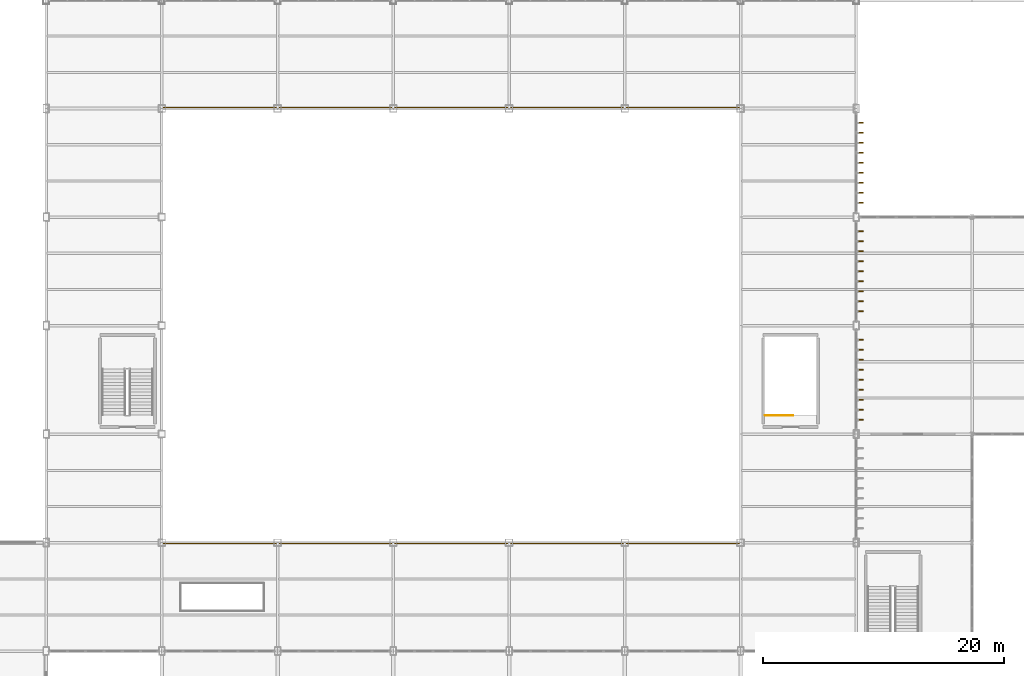
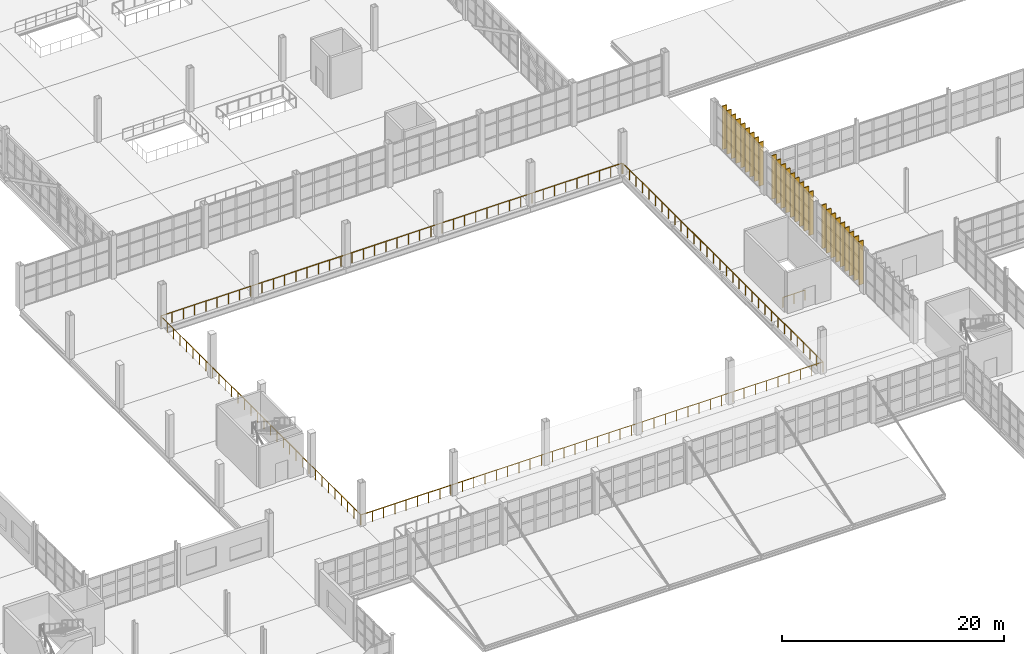
# One storey, part 118 of 120: 27 coverings, 3 railings.
"""IFC4 building model written with IfcOpenShell, lengths in metres."""

from ifc_helpers import new_model, si_unit, direction, frame, origin, origin_2d, place, context, subcontext, project, spatial, rectangle, circle, extrude, material, type_object, element, save


model = new_model("IFC4")

# Units and contexts
model_context = context("Model", 3, precision=1e-05, world=origin(), true_north=direction((0.0, 1.0)))
body_context = subcontext(model_context, "Body", "Model", "MODEL_VIEW")
ifc_project = project(units=[si_unit("LENGTHUNIT", "METRE"), si_unit("AREAUNIT", "SQUARE_METRE"), si_unit("VOLUMEUNIT", "CUBIC_METRE"), si_unit("PLANEANGLEUNIT", "RADIAN"), si_unit("MASSUNIT", "GRAM", prefix="KILO")], contexts=[model_context])

# Site, building, storey
site_placement = place(None, origin())
site = spatial("IfcSite", under=ifc_project, at=site_placement, CompositionType="ELEMENT")
building_placement = place(site_placement, origin())
building = spatial("IfcBuilding", under=site, at=building_placement, Name="Zarnetskaya Central Station", CompositionType="ELEMENT")
storey_placement = place(building_placement, frame((0.0, 0.0, 5.39990234375)))
storey = spatial("IfcBuildingStorey", under=building, at=storey_placement, Name="L01", CompositionType="ELEMENT", Elevation=5.39990234375)

# Coverings
ifc_material_1 = material(Name="Larch glulam GL28h", Category="wood")
covering_type = type_object("IfcCoveringType", Name="COV-LARCH-BLADE", PredefinedType="CLADDING", material=ifc_material_1)
for number, where, z_axis, x_axis, name in (
    (1, (125.14990234375, 39.02001953125, 0.0), (0.0, 0.0, 1.0), (0.0, -1.0, 0.0), "Vertical GL28h larch gable screen blade CW-L01-092-01"),
    (2, (125.14990234375, 38.18994140625, 0.0), (0.0, 0.0, 1.0), (0.0, -1.0, 0.0), "Vertical GL28h larch gable screen blade CW-L01-092-02"),
    (3, (125.14990234375, 37.360107421875, 0.0), (0.0, 0.0, 1.0), (0.0, -1.0, 0.0), "Vertical GL28h larch gable screen blade CW-L01-092-03"),
    (4, (125.14990234375, 36.530029296875, 0.0), (0.0, 0.0, 1.0), (0.0, -1.0, 0.0), "Vertical GL28h larch gable screen blade CW-L01-092-04"),
    (5, (125.14990234375, 35.699951171875, 0.0), (0.0, 0.0, 1.0), (0.0, -1.0, 0.0), "Vertical GL28h larch gable screen blade CW-L01-092-05"),
    (6, (125.14990234375, 34.8701171875, 0.0), (0.0, 0.0, 1.0), (0.0, -1.0, 0.0), "Vertical GL28h larch gable screen blade CW-L01-092-06"),
    (7, (125.14990234375, 34.0400390625, 0.0), (0.0, 0.0, 1.0), (0.0, -1.0, 0.0), "Vertical GL28h larch gable screen blade CW-L01-092-07"),
    (8, (125.14990234375, 33.2099609375, 0.0), (0.0, 0.0, 1.0), (0.0, -1.0, 0.0), "Vertical GL28h larch gable screen blade CW-L01-092-08"),
    (9, (125.14990234375, 32.3798828125, 0.0), (0.0, 0.0, 1.0), (0.0, -1.0, 0.0), "Vertical GL28h larch gable screen blade CW-L01-092-09"),
    (10, (125.1298828125, 48.02001953125, 0.0), (0.0, 0.0, 1.0), (0.0, -1.0, 0.0), "Vertical GL28h larch gable screen blade CW-L01-095-01"),
    (11, (125.1298828125, 47.18994140625, 0.0), (0.0, 0.0, 1.0), (0.0, -1.0, 0.0), "Vertical GL28h larch gable screen blade CW-L01-095-02"),
    (12, (125.1298828125, 46.360107421875, 0.0), (0.0, 0.0, 1.0), (0.0, -1.0, 0.0), "Vertical GL28h larch gable screen blade CW-L01-095-03"),
    (13, (125.1298828125, 45.530029296875, 0.0), (0.0, 0.0, 1.0), (0.0, -1.0, 0.0), "Vertical GL28h larch gable screen blade CW-L01-095-04"),
    (14, (125.1298828125, 44.699951171875, 0.0), (0.0, 0.0, 1.0), (0.0, -1.0, 0.0), "Vertical GL28h larch gable screen blade CW-L01-095-05"),
    (15, (125.1298828125, 43.8701171875, 0.0), (0.0, 0.0, 1.0), (0.0, -1.0, 0.0), "Vertical GL28h larch gable screen blade CW-L01-095-06"),
    (16, (125.1298828125, 43.0400390625, 0.0), (0.0, 0.0, 1.0), (0.0, -1.0, 0.0), "Vertical GL28h larch gable screen blade CW-L01-095-07"),
    (17, (125.1298828125, 42.2099609375, 0.0), (0.0, 0.0, 1.0), (0.0, -1.0, 0.0), "Vertical GL28h larch gable screen blade CW-L01-095-08"),
    (18, (125.1298828125, 41.3798828125, 0.0), (0.0, 0.0, 1.0), (0.0, -1.0, 0.0), "Vertical GL28h larch gable screen blade CW-L01-095-09"),
    (19, (125.14990234375, 57.02001953125, 0.0), (0.0, 0.0, 1.0), (0.0, -1.0, 0.0), "Vertical GL28h larch gable screen blade CW-L01-098-01"),
    (20, (125.14990234375, 56.18994140625, 0.0), (0.0, 0.0, 1.0), (0.0, -1.0, 0.0), "Vertical GL28h larch gable screen blade CW-L01-098-02"),
    (21, (125.14990234375, 55.360107421875, 0.0), (0.0, 0.0, 1.0), (0.0, -1.0, 0.0), "Vertical GL28h larch gable screen blade CW-L01-098-03"),
    (22, (125.14990234375, 54.530029296875, 0.0), (0.0, 0.0, 1.0), (0.0, -1.0, 0.0), "Vertical GL28h larch gable screen blade CW-L01-098-04"),
    (23, (125.14990234375, 53.699951171875, 0.0), (0.0, 0.0, 1.0), (0.0, -1.0, 0.0), "Vertical GL28h larch gable screen blade CW-L01-098-05"),
    (24, (125.14990234375, 52.8701171875, 0.0), (0.0, 0.0, 1.0), (0.0, -1.0, 0.0), "Vertical GL28h larch gable screen blade CW-L01-098-06"),
    (25, (125.14990234375, 52.0400390625, 0.0), (0.0, 0.0, 1.0), (0.0, -1.0, 0.0), "Vertical GL28h larch gable screen blade CW-L01-098-07"),
    (26, (125.14990234375, 51.2099609375, 0.0), (0.0, 0.0, 1.0), (0.0, -1.0, 0.0), "Vertical GL28h larch gable screen blade CW-L01-098-08"),
    (27, (125.14990234375, 50.3798828125, 0.0), (0.0, 0.0, 1.0), (0.0, -1.0, 0.0), "Vertical GL28h larch gable screen blade CW-L01-098-09"),
):
    element("IfcCovering", number, at=place(storey_placement, frame(where, z_axis=z_axis, x_axis=x_axis)), inside=storey, type_object=covering_type, Name=name, PredefinedType="CLADDING", context=body_context, shape_type="SweptSolid", body=[
        extrude(rectangle(XDim=0.090087890625, YDim=0.47998046875, at=origin_2d()), origin(), (0.0, 0.0, 1.0), 4.800048828125),
    ])

# Railings
ifc_material_2 = material(Name="Anodised aluminium", Category="aluminium")
railing_type_1 = type_object("IfcRailingType", Name="RAIL-BAL-1150", PredefinedType="BALUSTRADE", material=ifc_material_2)
railing_1_placement = place(storey_placement, frame((67.1201171875, 22.1201171875, 0.0)))
element("IfcRailing", 28, at=railing_1_placement, inside=storey, type_object=railing_type_1, Name="Protective deck balustrade GRD-05", PredefinedType="BALUSTRADE", context=body_context, shape_type="SweptSolid", body=[
    extrude(circle(Radius=0.02392578125, at=origin_2d()), frame((0.0, 0.0, 1.1259765625), z_axis=(1.0, 0.0, 0.0), x_axis=(0.0, 1.0, 0.0)), (0.0, 0.0, 1.0), 48.159912109375),
    extrude(circle(Radius=0.02392578125, at=origin_2d()), frame((48.159912109375, 0.0, 1.1259765625), z_axis=(0.0, 1.0, 0.0), x_axis=(-1.0, 0.0, 0.0)), (0.0, 0.0, 1.0), 36.079833984375),
    extrude(circle(Radius=0.02099609375, at=origin_2d()), origin(), (0.0, 0.0, 1.0), 1.101806640625),
    extrude(circle(Radius=0.02099609375, at=origin_2d()), frame((1.174560546875, 0.0, 0.0)), (0.0, 0.0, 1.0), 1.101806640625),
    extrude(circle(Radius=0.02099609375, at=origin_2d()), frame((2.349365234375, 0.0, 0.0)), (0.0, 0.0, 1.0), 1.101806640625),
    extrude(circle(Radius=0.02099609375, at=origin_2d()), frame((3.52392578125, 0.0, 0.0)), (0.0, 0.0, 1.0), 1.101806640625),
    extrude(circle(Radius=0.02099609375, at=origin_2d()), frame((4.698486328125, 0.0, 0.0)), (0.0, 0.0, 1.0), 1.101806640625),
    extrude(circle(Radius=0.02099609375, at=origin_2d()), frame((5.873046875, 0.0, 0.0)), (0.0, 0.0, 1.0), 1.101806640625),
    extrude(circle(Radius=0.02099609375, at=origin_2d()), frame((7.0478515625, 0.0, 0.0)), (0.0, 0.0, 1.0), 1.101806640625),
    extrude(circle(Radius=0.02099609375, at=origin_2d()), frame((8.222412109375, 0.0, 0.0)), (0.0, 0.0, 1.0), 1.101806640625),
    extrude(circle(Radius=0.02099609375, at=origin_2d()), frame((9.39697265625, 0.0, 0.0)), (0.0, 0.0, 1.0), 1.101806640625),
    extrude(circle(Radius=0.02099609375, at=origin_2d()), frame((10.57177734375, 0.0, 0.0)), (0.0, 0.0, 1.0), 1.101806640625),
    extrude(circle(Radius=0.02099609375, at=origin_2d()), frame((11.746337890625, 0.0, 0.0)), (0.0, 0.0, 1.0), 1.101806640625),
    extrude(circle(Radius=0.02099609375, at=origin_2d()), frame((12.9208984375, 0.0, 0.0)), (0.0, 0.0, 1.0), 1.101806640625),
    extrude(circle(Radius=0.02099609375, at=origin_2d()), frame((14.095703125, 0.0, 0.0)), (0.0, 0.0, 1.0), 1.101806640625),
    extrude(circle(Radius=0.02099609375, at=origin_2d()), frame((15.270263671875, 0.0, 0.0)), (0.0, 0.0, 1.0), 1.101806640625),
    extrude(circle(Radius=0.02099609375, at=origin_2d()), frame((16.44482421875, 0.0, 0.0)), (0.0, 0.0, 1.0), 1.101806640625),
    extrude(circle(Radius=0.02099609375, at=origin_2d()), frame((17.619384765625, 0.0, 0.0)), (0.0, 0.0, 1.0), 1.101806640625),
    extrude(circle(Radius=0.02099609375, at=origin_2d()), frame((18.794189453125, 0.0, 0.0)), (0.0, 0.0, 1.0), 1.101806640625),
    extrude(circle(Radius=0.02099609375, at=origin_2d()), frame((19.96875, 0.0, 0.0)), (0.0, 0.0, 1.0), 1.101806640625),
    extrude(circle(Radius=0.02099609375, at=origin_2d()), frame((21.143310546875, 0.0, 0.0)), (0.0, 0.0, 1.0), 1.101806640625),
    extrude(circle(Radius=0.02099609375, at=origin_2d()), frame((22.318115234375, 0.0, 0.0)), (0.0, 0.0, 1.0), 1.101806640625),
    extrude(circle(Radius=0.02099609375, at=origin_2d()), frame((23.49267578125, 0.0, 0.0)), (0.0, 0.0, 1.0), 1.101806640625),
    extrude(circle(Radius=0.02099609375, at=origin_2d()), frame((24.667236328125, 0.0, 0.0)), (0.0, 0.0, 1.0), 1.101806640625),
    extrude(circle(Radius=0.02099609375, at=origin_2d()), frame((25.841796875, 0.0, 0.0)), (0.0, 0.0, 1.0), 1.101806640625),
    extrude(circle(Radius=0.02099609375, at=origin_2d()), frame((27.0166015625, 0.0, 0.0)), (0.0, 0.0, 1.0), 1.101806640625),
    extrude(circle(Radius=0.02099609375, at=origin_2d()), frame((28.191162109375, 0.0, 0.0)), (0.0, 0.0, 1.0), 1.101806640625),
    extrude(circle(Radius=0.02099609375, at=origin_2d()), frame((29.36572265625, 0.0, 0.0)), (0.0, 0.0, 1.0), 1.101806640625),
    extrude(circle(Radius=0.02099609375, at=origin_2d()), frame((30.54052734375, 0.0, 0.0)), (0.0, 0.0, 1.0), 1.101806640625),
    extrude(circle(Radius=0.02099609375, at=origin_2d()), frame((31.715087890625, 0.0, 0.0)), (0.0, 0.0, 1.0), 1.101806640625),
    extrude(circle(Radius=0.02099609375, at=origin_2d()), frame((32.8896484375, 0.0, 0.0)), (0.0, 0.0, 1.0), 1.101806640625),
    extrude(circle(Radius=0.02099609375, at=origin_2d()), frame((34.064208984375, 0.0, 0.0)), (0.0, 0.0, 1.0), 1.101806640625),
    extrude(circle(Radius=0.02099609375, at=origin_2d()), frame((35.239013671875, 0.0, 0.0)), (0.0, 0.0, 1.0), 1.101806640625),
    extrude(circle(Radius=0.02099609375, at=origin_2d()), frame((36.41357421875, 0.0, 0.0)), (0.0, 0.0, 1.0), 1.101806640625),
    extrude(circle(Radius=0.02099609375, at=origin_2d()), frame((37.588134765625, 0.0, 0.0)), (0.0, 0.0, 1.0), 1.101806640625),
    extrude(circle(Radius=0.02099609375, at=origin_2d()), frame((38.762939453125, 0.0, 0.0)), (0.0, 0.0, 1.0), 1.101806640625),
    extrude(circle(Radius=0.02099609375, at=origin_2d()), frame((39.9375, 0.0, 0.0)), (0.0, 0.0, 1.0), 1.101806640625),
    extrude(circle(Radius=0.02099609375, at=origin_2d()), frame((41.112060546875, 0.0, 0.0)), (0.0, 0.0, 1.0), 1.101806640625),
    extrude(circle(Radius=0.02099609375, at=origin_2d()), frame((42.286865234375, 0.0, 0.0)), (0.0, 0.0, 1.0), 1.101806640625),
    extrude(circle(Radius=0.02099609375, at=origin_2d()), frame((43.46142578125, 0.0, 0.0)), (0.0, 0.0, 1.0), 1.101806640625),
    extrude(circle(Radius=0.02099609375, at=origin_2d()), frame((44.635986328125, 0.0, 0.0)), (0.0, 0.0, 1.0), 1.101806640625),
    extrude(circle(Radius=0.02099609375, at=origin_2d()), frame((45.810546875, 0.0, 0.0)), (0.0, 0.0, 1.0), 1.101806640625),
    extrude(circle(Radius=0.02099609375, at=origin_2d()), frame((46.9853515625, 0.0, 0.0)), (0.0, 0.0, 1.0), 1.101806640625),
    extrude(circle(Radius=0.02099609375, at=origin_2d()), frame((48.159912109375, 0.0, 0.0)), (0.0, 0.0, 1.0), 1.101806640625),
    extrude(circle(Radius=0.02099609375, at=origin_2d()), frame((48.159912109375, 1.163818359375, 0.0)), (0.0, 0.0, 1.0), 1.101806640625),
    extrude(circle(Radius=0.02099609375, at=origin_2d()), frame((48.159912109375, 2.32763671875, 0.0)), (0.0, 0.0, 1.0), 1.101806640625),
    extrude(circle(Radius=0.02099609375, at=origin_2d()), frame((48.159912109375, 3.49169921875, 0.0)), (0.0, 0.0, 1.0), 1.101806640625),
    extrude(circle(Radius=0.02099609375, at=origin_2d()), frame((48.159912109375, 4.655517578125, 0.0)), (0.0, 0.0, 1.0), 1.101806640625),
    extrude(circle(Radius=0.02099609375, at=origin_2d()), frame((48.159912109375, 5.8193359375, 0.0)), (0.0, 0.0, 1.0), 1.101806640625),
    extrude(circle(Radius=0.02099609375, at=origin_2d()), frame((48.159912109375, 6.983154296875, 0.0)), (0.0, 0.0, 1.0), 1.101806640625),
    extrude(circle(Radius=0.02099609375, at=origin_2d()), frame((48.159912109375, 8.14697265625, 0.0)), (0.0, 0.0, 1.0), 1.101806640625),
    extrude(circle(Radius=0.02099609375, at=origin_2d()), frame((48.159912109375, 9.31103515625, 0.0)), (0.0, 0.0, 1.0), 1.101806640625),
    extrude(circle(Radius=0.02099609375, at=origin_2d()), frame((48.159912109375, 10.474853515625, 0.0)), (0.0, 0.0, 1.0), 1.101806640625),
    extrude(circle(Radius=0.02099609375, at=origin_2d()), frame((48.159912109375, 11.638671875, 0.0)), (0.0, 0.0, 1.0), 1.101806640625),
    extrude(circle(Radius=0.02099609375, at=origin_2d()), frame((48.159912109375, 12.802490234375, 0.0)), (0.0, 0.0, 1.0), 1.101806640625),
    extrude(circle(Radius=0.02099609375, at=origin_2d()), frame((48.159912109375, 13.96630859375, 0.0)), (0.0, 0.0, 1.0), 1.101806640625),
    extrude(circle(Radius=0.02099609375, at=origin_2d()), frame((48.159912109375, 15.13037109375, 0.0)), (0.0, 0.0, 1.0), 1.101806640625),
    extrude(circle(Radius=0.02099609375, at=origin_2d()), frame((48.159912109375, 16.294189453125, 0.0)), (0.0, 0.0, 1.0), 1.101806640625),
    extrude(circle(Radius=0.02099609375, at=origin_2d()), frame((48.159912109375, 17.4580078125, 0.0)), (0.0, 0.0, 1.0), 1.101806640625),
    extrude(circle(Radius=0.02099609375, at=origin_2d()), frame((48.159912109375, 18.621826171875, 0.0)), (0.0, 0.0, 1.0), 1.101806640625),
    extrude(circle(Radius=0.02099609375, at=origin_2d()), frame((48.159912109375, 19.78564453125, 0.0)), (0.0, 0.0, 1.0), 1.101806640625),
    extrude(circle(Radius=0.02099609375, at=origin_2d()), frame((48.159912109375, 20.949462890625, 0.0)), (0.0, 0.0, 1.0), 1.101806640625),
    extrude(circle(Radius=0.02099609375, at=origin_2d()), frame((48.159912109375, 22.113525390625, 0.0)), (0.0, 0.0, 1.0), 1.101806640625),
    extrude(circle(Radius=0.02099609375, at=origin_2d()), frame((48.159912109375, 23.27734375, 0.0)), (0.0, 0.0, 1.0), 1.101806640625),
    extrude(circle(Radius=0.02099609375, at=origin_2d()), frame((48.159912109375, 24.441162109375, 0.0)), (0.0, 0.0, 1.0), 1.101806640625),
    extrude(circle(Radius=0.02099609375, at=origin_2d()), frame((48.159912109375, 25.60498046875, 0.0)), (0.0, 0.0, 1.0), 1.101806640625),
    extrude(circle(Radius=0.02099609375, at=origin_2d()), frame((48.159912109375, 26.768798828125, 0.0)), (0.0, 0.0, 1.0), 1.101806640625),
    extrude(circle(Radius=0.02099609375, at=origin_2d()), frame((48.159912109375, 27.932861328125, 0.0)), (0.0, 0.0, 1.0), 1.101806640625),
    extrude(circle(Radius=0.02099609375, at=origin_2d()), frame((48.159912109375, 29.0966796875, 0.0)), (0.0, 0.0, 1.0), 1.101806640625),
    extrude(circle(Radius=0.02099609375, at=origin_2d()), frame((48.159912109375, 30.260498046875, 0.0)), (0.0, 0.0, 1.0), 1.101806640625),
    extrude(circle(Radius=0.02099609375, at=origin_2d()), frame((48.159912109375, 31.42431640625, 0.0)), (0.0, 0.0, 1.0), 1.101806640625),
    extrude(circle(Radius=0.02099609375, at=origin_2d()), frame((48.159912109375, 32.588134765625, 0.0)), (0.0, 0.0, 1.0), 1.101806640625),
    extrude(circle(Radius=0.02099609375, at=origin_2d()), frame((48.159912109375, 33.752197265625, 0.0)), (0.0, 0.0, 1.0), 1.101806640625),
    extrude(circle(Radius=0.02099609375, at=origin_2d()), frame((48.159912109375, 34.916015625, 0.0)), (0.0, 0.0, 1.0), 1.101806640625),
    extrude(circle(Radius=0.02099609375, at=origin_2d()), frame((48.159912109375, 36.079833984375, 0.0)), (0.0, 0.0, 1.0), 1.101806640625),
])
railing_2_placement = place(storey_placement, frame((115.199951171875, 58.280029296875, 0.0)))
element("IfcRailing", 29, at=railing_2_placement, inside=storey, type_object=railing_type_1, Name="Protective deck balustrade GRD-06", PredefinedType="BALUSTRADE", context=body_context, shape_type="SweptSolid", body=[
    extrude(circle(Radius=0.02392578125, at=origin_2d()), frame((0.0, 0.0, 1.1259765625), z_axis=(-1.0, 0.0, 0.0), x_axis=(0.0, -1.0, 0.0)), (0.0, 0.0, 1.0), 48.079833984375),
    extrude(circle(Radius=0.02392578125, at=origin_2d()), frame((-48.079833984375, 0.0, 1.1259765625), z_axis=(0.0, -1.0, 0.0), x_axis=(1.0, 0.0, 0.0)), (0.0, 0.0, 1.0), 36.080078125),
    extrude(circle(Radius=0.02099609375, at=origin_2d()), origin(), (0.0, 0.0, 1.0), 1.101806640625),
    extrude(circle(Radius=0.02099609375, at=origin_2d()), frame((-1.172607421875, 0.0, 0.0)), (0.0, 0.0, 1.0), 1.101806640625),
    extrude(circle(Radius=0.02099609375, at=origin_2d()), frame((-2.345458984375, 0.0, 0.0)), (0.0, 0.0, 1.0), 1.101806640625),
    extrude(circle(Radius=0.02099609375, at=origin_2d()), frame((-3.51806640625, 0.0, 0.0)), (0.0, 0.0, 1.0), 1.101806640625),
    extrude(circle(Radius=0.02099609375, at=origin_2d()), frame((-4.690673828125, 0.0, 0.0)), (0.0, 0.0, 1.0), 1.101806640625),
    extrude(circle(Radius=0.02099609375, at=origin_2d()), frame((-5.86328125, 0.0, 0.0)), (0.0, 0.0, 1.0), 1.101806640625),
    extrude(circle(Radius=0.02099609375, at=origin_2d()), frame((-7.0361328125, 0.0, 0.0)), (0.0, 0.0, 1.0), 1.101806640625),
    extrude(circle(Radius=0.02099609375, at=origin_2d()), frame((-8.208740234375, 0.0, 0.0)), (0.0, 0.0, 1.0), 1.101806640625),
    extrude(circle(Radius=0.02099609375, at=origin_2d()), frame((-9.38134765625, 0.0, 0.0)), (0.0, 0.0, 1.0), 1.101806640625),
    extrude(circle(Radius=0.02099609375, at=origin_2d()), frame((-10.55419921875, 0.0, 0.0)), (0.0, 0.0, 1.0), 1.101806640625),
    extrude(circle(Radius=0.02099609375, at=origin_2d()), frame((-11.726806640625, 0.0, 0.0)), (0.0, 0.0, 1.0), 1.101806640625),
    extrude(circle(Radius=0.02099609375, at=origin_2d()), frame((-12.8994140625, 0.0, 0.0)), (0.0, 0.0, 1.0), 1.101806640625),
    extrude(circle(Radius=0.02099609375, at=origin_2d()), frame((-14.072265625, 0.0, 0.0)), (0.0, 0.0, 1.0), 1.101806640625),
    extrude(circle(Radius=0.02099609375, at=origin_2d()), frame((-15.244873046875, 0.0, 0.0)), (0.0, 0.0, 1.0), 1.101806640625),
    extrude(circle(Radius=0.02099609375, at=origin_2d()), frame((-16.41748046875, 0.0, 0.0)), (0.0, 0.0, 1.0), 1.101806640625),
    extrude(circle(Radius=0.02099609375, at=origin_2d()), frame((-17.590087890625, 0.0, 0.0)), (0.0, 0.0, 1.0), 1.101806640625),
    extrude(circle(Radius=0.02099609375, at=origin_2d()), frame((-18.762939453125, 0.0, 0.0)), (0.0, 0.0, 1.0), 1.101806640625),
    extrude(circle(Radius=0.02099609375, at=origin_2d()), frame((-19.935546875, 0.0, 0.0)), (0.0, 0.0, 1.0), 1.101806640625),
    extrude(circle(Radius=0.02099609375, at=origin_2d()), frame((-21.108154296875, 0.0, 0.0)), (0.0, 0.0, 1.0), 1.101806640625),
    extrude(circle(Radius=0.02099609375, at=origin_2d()), frame((-22.281005859375, 0.0, 0.0)), (0.0, 0.0, 1.0), 1.101806640625),
    extrude(circle(Radius=0.02099609375, at=origin_2d()), frame((-23.45361328125, 0.0, 0.0)), (0.0, 0.0, 1.0), 1.101806640625),
    extrude(circle(Radius=0.02099609375, at=origin_2d()), frame((-24.626220703125, 0.0, 0.0)), (0.0, 0.0, 1.0), 1.101806640625),
    extrude(circle(Radius=0.02099609375, at=origin_2d()), frame((-25.798828125, 0.0, 0.0)), (0.0, 0.0, 1.0), 1.101806640625),
    extrude(circle(Radius=0.02099609375, at=origin_2d()), frame((-26.9716796875, 0.0, 0.0)), (0.0, 0.0, 1.0), 1.101806640625),
    extrude(circle(Radius=0.02099609375, at=origin_2d()), frame((-28.144287109375, 0.0, 0.0)), (0.0, 0.0, 1.0), 1.101806640625),
    extrude(circle(Radius=0.02099609375, at=origin_2d()), frame((-29.31689453125, 0.0, 0.0)), (0.0, 0.0, 1.0), 1.101806640625),
    extrude(circle(Radius=0.02099609375, at=origin_2d()), frame((-30.48974609375, 0.0, 0.0)), (0.0, 0.0, 1.0), 1.101806640625),
    extrude(circle(Radius=0.02099609375, at=origin_2d()), frame((-31.662353515625, 0.0, 0.0)), (0.0, 0.0, 1.0), 1.101806640625),
    extrude(circle(Radius=0.02099609375, at=origin_2d()), frame((-32.8349609375, 0.0, 0.0)), (0.0, 0.0, 1.0), 1.101806640625),
    extrude(circle(Radius=0.02099609375, at=origin_2d()), frame((-34.007568359375, 0.0, 0.0)), (0.0, 0.0, 1.0), 1.101806640625),
    extrude(circle(Radius=0.02099609375, at=origin_2d()), frame((-35.180419921875, 0.0, 0.0)), (0.0, 0.0, 1.0), 1.101806640625),
    extrude(circle(Radius=0.02099609375, at=origin_2d()), frame((-36.35302734375, 0.0, 0.0)), (0.0, 0.0, 1.0), 1.101806640625),
    extrude(circle(Radius=0.02099609375, at=origin_2d()), frame((-37.525634765625, 0.0, 0.0)), (0.0, 0.0, 1.0), 1.101806640625),
    extrude(circle(Radius=0.02099609375, at=origin_2d()), frame((-38.698486328125, 0.0, 0.0)), (0.0, 0.0, 1.0), 1.101806640625),
    extrude(circle(Radius=0.02099609375, at=origin_2d()), frame((-39.87109375, 0.0, 0.0)), (0.0, 0.0, 1.0), 1.101806640625),
    extrude(circle(Radius=0.02099609375, at=origin_2d()), frame((-41.043701171875, 0.0, 0.0)), (0.0, 0.0, 1.0), 1.101806640625),
    extrude(circle(Radius=0.02099609375, at=origin_2d()), frame((-42.216552734375, 0.0, 0.0)), (0.0, 0.0, 1.0), 1.101806640625),
    extrude(circle(Radius=0.02099609375, at=origin_2d()), frame((-43.38916015625, 0.0, 0.0)), (0.0, 0.0, 1.0), 1.101806640625),
    extrude(circle(Radius=0.02099609375, at=origin_2d()), frame((-44.561767578125, 0.0, 0.0)), (0.0, 0.0, 1.0), 1.101806640625),
    extrude(circle(Radius=0.02099609375, at=origin_2d()), frame((-45.734375, 0.0, 0.0)), (0.0, 0.0, 1.0), 1.101806640625),
    extrude(circle(Radius=0.02099609375, at=origin_2d()), frame((-46.9072265625, 0.0, 0.0)), (0.0, 0.0, 1.0), 1.101806640625),
    extrude(circle(Radius=0.02099609375, at=origin_2d()), frame((-48.079833984375, 0.0, 0.0)), (0.0, 0.0, 1.0), 1.101806640625),
    extrude(circle(Radius=0.02099609375, at=origin_2d()), frame((-48.079833984375, -1.163818359375, 0.0)), (0.0, 0.0, 1.0), 1.101806640625),
    extrude(circle(Radius=0.02099609375, at=origin_2d()), frame((-48.079833984375, -2.32763671875, 0.0)), (0.0, 0.0, 1.0), 1.101806640625),
    extrude(circle(Radius=0.02099609375, at=origin_2d()), frame((-48.079833984375, -3.49169921875, 0.0)), (0.0, 0.0, 1.0), 1.101806640625),
    extrude(circle(Radius=0.02099609375, at=origin_2d()), frame((-48.079833984375, -4.655517578125, 0.0)), (0.0, 0.0, 1.0), 1.101806640625),
    extrude(circle(Radius=0.02099609375, at=origin_2d()), frame((-48.079833984375, -5.8193359375, 0.0)), (0.0, 0.0, 1.0), 1.101806640625),
    extrude(circle(Radius=0.02099609375, at=origin_2d()), frame((-48.079833984375, -6.983154296875, 0.0)), (0.0, 0.0, 1.0), 1.101806640625),
    extrude(circle(Radius=0.02099609375, at=origin_2d()), frame((-48.079833984375, -8.147216796875, 0.0)), (0.0, 0.0, 1.0), 1.101806640625),
    extrude(circle(Radius=0.02099609375, at=origin_2d()), frame((-48.079833984375, -9.31103515625, 0.0)), (0.0, 0.0, 1.0), 1.101806640625),
    extrude(circle(Radius=0.02099609375, at=origin_2d()), frame((-48.079833984375, -10.474853515625, 0.0)), (0.0, 0.0, 1.0), 1.101806640625),
    extrude(circle(Radius=0.02099609375, at=origin_2d()), frame((-48.079833984375, -11.638671875, 0.0)), (0.0, 0.0, 1.0), 1.101806640625),
    extrude(circle(Radius=0.02099609375, at=origin_2d()), frame((-48.079833984375, -12.802490234375, 0.0)), (0.0, 0.0, 1.0), 1.101806640625),
    extrude(circle(Radius=0.02099609375, at=origin_2d()), frame((-48.079833984375, -13.966552734375, 0.0)), (0.0, 0.0, 1.0), 1.101806640625),
    extrude(circle(Radius=0.02099609375, at=origin_2d()), frame((-48.079833984375, -15.13037109375, 0.0)), (0.0, 0.0, 1.0), 1.101806640625),
    extrude(circle(Radius=0.02099609375, at=origin_2d()), frame((-48.079833984375, -16.294189453125, 0.0)), (0.0, 0.0, 1.0), 1.101806640625),
    extrude(circle(Radius=0.02099609375, at=origin_2d()), frame((-48.079833984375, -17.4580078125, 0.0)), (0.0, 0.0, 1.0), 1.101806640625),
    extrude(circle(Radius=0.02099609375, at=origin_2d()), frame((-48.079833984375, -18.6220703125, 0.0)), (0.0, 0.0, 1.0), 1.101806640625),
    extrude(circle(Radius=0.02099609375, at=origin_2d()), frame((-48.079833984375, -19.785888671875, 0.0)), (0.0, 0.0, 1.0), 1.101806640625),
    extrude(circle(Radius=0.02099609375, at=origin_2d()), frame((-48.079833984375, -20.94970703125, 0.0)), (0.0, 0.0, 1.0), 1.101806640625),
    extrude(circle(Radius=0.02099609375, at=origin_2d()), frame((-48.079833984375, -22.113525390625, 0.0)), (0.0, 0.0, 1.0), 1.101806640625),
    extrude(circle(Radius=0.02099609375, at=origin_2d()), frame((-48.079833984375, -23.277587890625, 0.0)), (0.0, 0.0, 1.0), 1.101806640625),
    extrude(circle(Radius=0.02099609375, at=origin_2d()), frame((-48.079833984375, -24.44140625, 0.0)), (0.0, 0.0, 1.0), 1.101806640625),
    extrude(circle(Radius=0.02099609375, at=origin_2d()), frame((-48.079833984375, -25.605224609375, 0.0)), (0.0, 0.0, 1.0), 1.101806640625),
    extrude(circle(Radius=0.02099609375, at=origin_2d()), frame((-48.079833984375, -26.76904296875, 0.0)), (0.0, 0.0, 1.0), 1.101806640625),
    extrude(circle(Radius=0.02099609375, at=origin_2d()), frame((-48.079833984375, -27.932861328125, 0.0)), (0.0, 0.0, 1.0), 1.101806640625),
    extrude(circle(Radius=0.02099609375, at=origin_2d()), frame((-48.079833984375, -29.096923828125, 0.0)), (0.0, 0.0, 1.0), 1.101806640625),
    extrude(circle(Radius=0.02099609375, at=origin_2d()), frame((-48.079833984375, -30.2607421875, 0.0)), (0.0, 0.0, 1.0), 1.101806640625),
    extrude(circle(Radius=0.02099609375, at=origin_2d()), frame((-48.079833984375, -31.424560546875, 0.0)), (0.0, 0.0, 1.0), 1.101806640625),
    extrude(circle(Radius=0.02099609375, at=origin_2d()), frame((-48.079833984375, -32.58837890625, 0.0)), (0.0, 0.0, 1.0), 1.101806640625),
    extrude(circle(Radius=0.02099609375, at=origin_2d()), frame((-48.079833984375, -33.75244140625, 0.0)), (0.0, 0.0, 1.0), 1.101806640625),
    extrude(circle(Radius=0.02099609375, at=origin_2d()), frame((-48.079833984375, -34.916259765625, 0.0)), (0.0, 0.0, 1.0), 1.101806640625),
    extrude(circle(Radius=0.02099609375, at=origin_2d()), frame((-48.079833984375, -36.080078125, 0.0)), (0.0, 0.0, 1.0), 1.101806640625),
])
ifc_material_3 = material(Name="Steel S355", Category="steel")
railing_type_2 = type_object("IfcRailingType", Name="RAIL-STAIR-GRD", PredefinedType="BALUSTRADE", material=ifc_material_3)
railing_3_placement = place(storey_placement, frame((117.239990234375, 32.760009765625, 0.0)))
element("IfcRailing", 30, at=railing_3_placement, inside=storey, type_object=railing_type_2, Name="Stair ST-E1 L01 floor well guard", PredefinedType="BALUSTRADE", context=body_context, shape_type="SweptSolid", body=[
    extrude(circle(Radius=0.02392578125, at=origin_2d()), frame((0.0, 0.0, 1.09619140625), z_axis=(1.0, 0.0, 0.0), x_axis=(0.0, 1.0, 0.0)), (0.0, 0.0, 1.0), 2.320068359375),
    extrude(circle(Radius=0.02099609375, at=origin_2d()), origin(), (0.0, 0.0, 1.0), 1.072021484375),
    extrude(circle(Radius=0.02099609375, at=origin_2d()), frame((1.16015625, 0.0, 0.0)), (0.0, 0.0, 1.0), 1.072021484375),
    extrude(circle(Radius=0.02099609375, at=origin_2d()), frame((2.320068359375, 0.0, 0.0)), (0.0, 0.0, 1.0), 1.072021484375),
])

save(model, "model.ifc")
